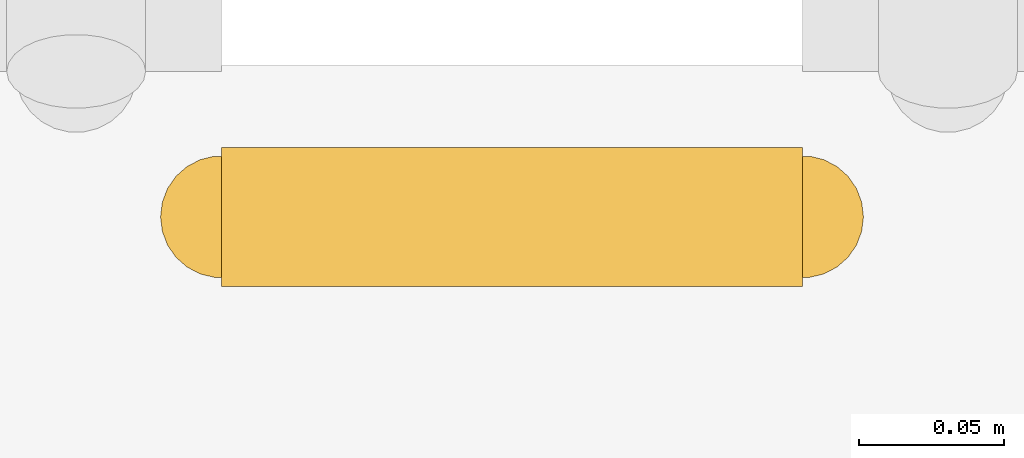
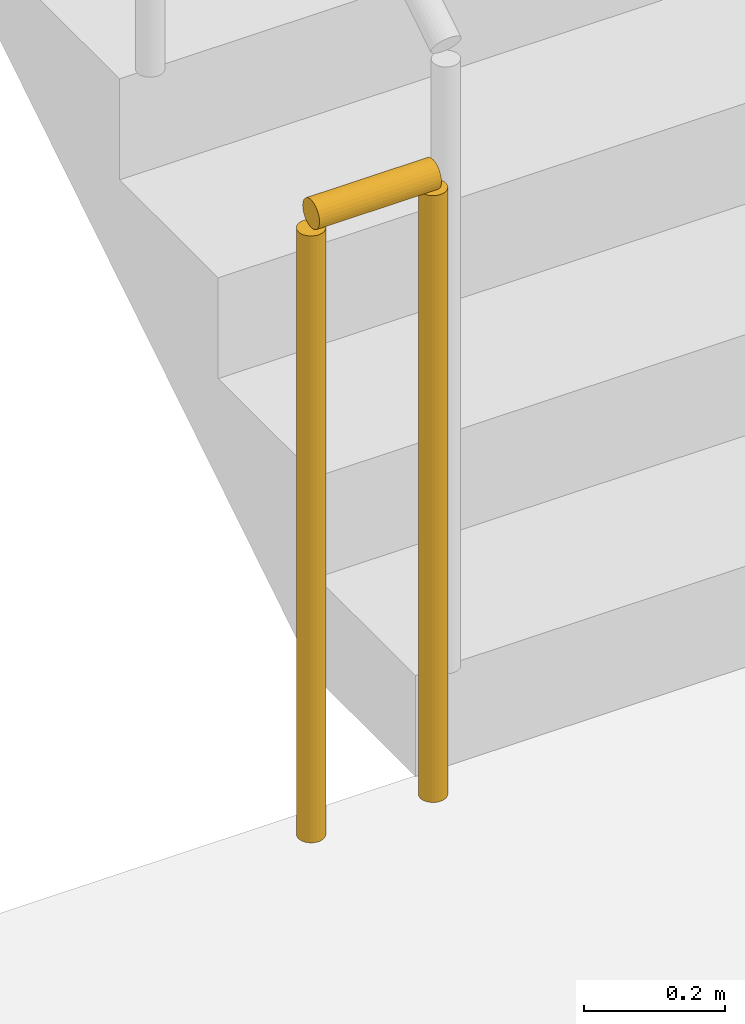
# One storey, part 10 of 21: 1 railing.
"""IFC4 building model written with IfcOpenShell, lengths in metres."""

from ifc_helpers import new_model, si_unit, direction, frame, origin, origin_2d, place, context, subcontext, project, spatial, circle, extrude, material, type_object, element, save


model = new_model("IFC4")

# Units and contexts
model_context = context("Model", 3, precision=1e-05, world=origin(), true_north=direction((0.0, 1.0)))
body_context = subcontext(model_context, "Body", "Model", "MODEL_VIEW")
ifc_project = project(units=[si_unit("LENGTHUNIT", "METRE"), si_unit("AREAUNIT", "SQUARE_METRE"), si_unit("VOLUMEUNIT", "CUBIC_METRE"), si_unit("PLANEANGLEUNIT", "RADIAN"), si_unit("MASSUNIT", "GRAM", prefix="KILO")], contexts=[model_context])

# Site, building, storey
site_placement = place(None, origin())
site = spatial("IfcSite", under=ifc_project, at=site_placement, CompositionType="ELEMENT")
building_placement = place(site_placement, origin())
building = spatial("IfcBuilding", under=site, at=building_placement, Name="Kiln Ring Residences", CompositionType="ELEMENT")
storey_placement = place(building_placement, frame((0.0, 0.0, 216.89990234375)))
storey = spatial("IfcBuildingStorey", under=building, at=storey_placement, Name="L56", CompositionType="ELEMENT", Elevation=216.89990234375)

# Railing
ifc_material = material(Name="Stainless steel", Category="steel")
railing_type = type_object("IfcRailingType", Name="CORE-STAIR-GUARD", PredefinedType="GUARDRAIL", material=ifc_material)
railing_placement = place(storey_placement, frame((-22.0, -8.449951171875, 0.0)))
element("IfcRailing", 1, at=railing_placement, inside=storey, type_object=railing_type, Name="L56 W-STS stair guard 4", PredefinedType="GUARDRAIL", context=body_context, shape_type="SweptSolid", body=[
    extrude(circle(Radius=0.02392578125, at=origin_2d()), frame((0.0, 0.0, 1.076171875), z_axis=(-1.0, 0.0, 0.0), x_axis=(0.0, -1.0, 0.0)), (0.0, 0.0, 1.0), 0.199951171875),
    extrude(circle(Radius=0.02099609375, at=origin_2d()), origin(), (0.0, 0.0, 1.0), 1.052001953125),
    extrude(circle(Radius=0.02099609375, at=origin_2d()), frame((-0.199951171875, 0.0, 0.0)), (0.0, 0.0, 1.0), 1.052001953125),
])

save(model, "model.ifc")
